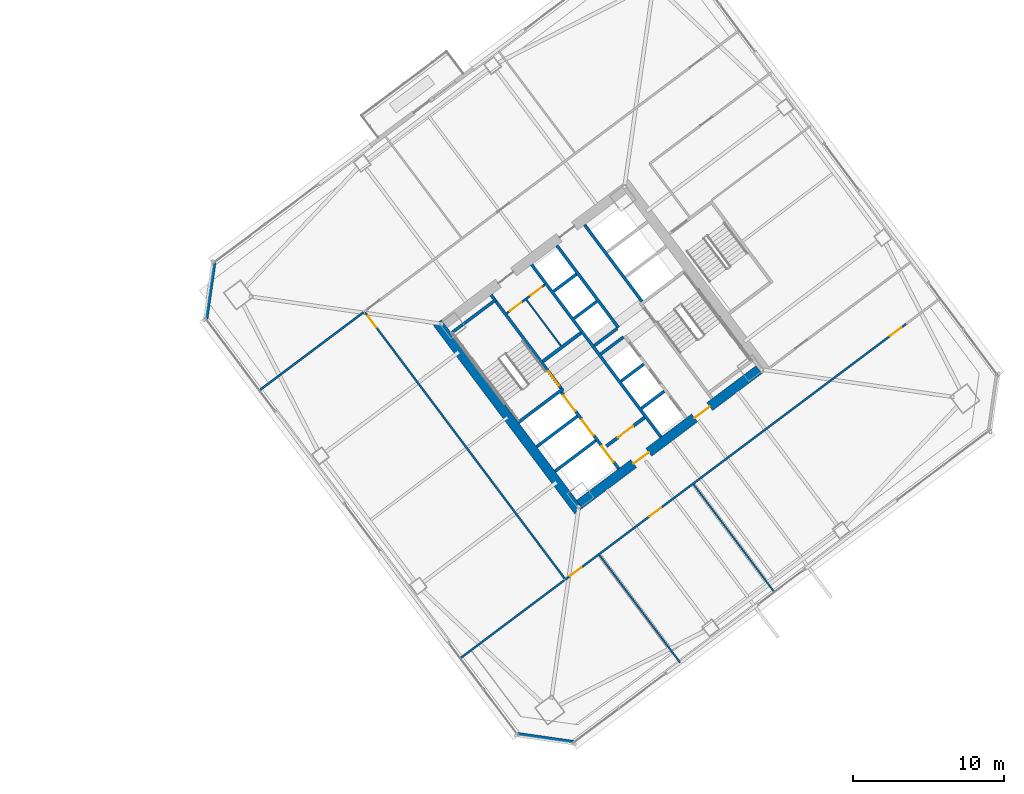
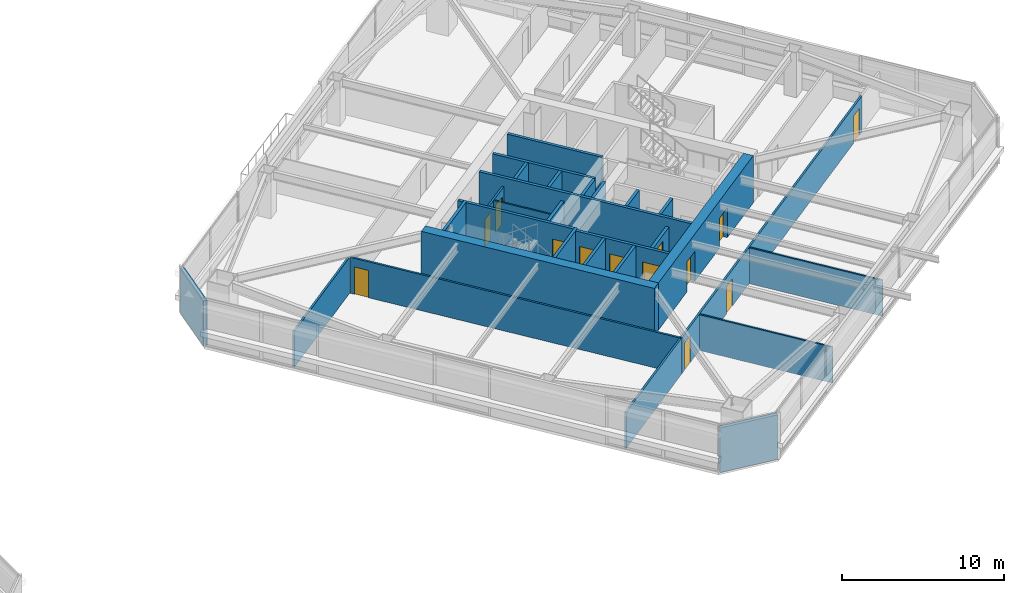
# One storey, part 35 of 44: 29 walls, 13 doors, 13 openings.
"""IFC4 building model written with IfcOpenShell, lengths in metres."""

from ifc_helpers import new_model, si_unit, direction, frame, frame_2d, origin, place, context, subcontext, project, spatial, rectangle, extrude, material, layer, layer_set, type_object, element, fill, save


model = new_model("IFC4")

# Units and contexts
model_context = context("Model", 3, precision=1e-05, world=origin(), true_north=direction((0.0, 1.0)))
body_context = subcontext(model_context, "Body", "Model", "MODEL_VIEW")
ifc_project = project(units=[si_unit("LENGTHUNIT", "METRE"), si_unit("AREAUNIT", "SQUARE_METRE"), si_unit("VOLUMEUNIT", "CUBIC_METRE"), si_unit("PLANEANGLEUNIT", "RADIAN"), si_unit("MASSUNIT", "GRAM", prefix="KILO")], contexts=[model_context])

# Site, building, storey
site_placement = place(None, origin())
site = spatial("IfcSite", under=ifc_project, at=site_placement, CompositionType="ELEMENT")
building_placement = place(site_placement, origin())
building = spatial("IfcBuilding", under=site, at=building_placement, Name="Tashvorn Skyway Center", CompositionType="ELEMENT")
storey_placement = place(building_placement, frame((0.0, 0.0, 95.60009765625)))
storey = spatial("IfcBuildingStorey", under=building, at=storey_placement, Name="L25", CompositionType="ELEMENT", Elevation=95.60009765625)

# Wall
ifc_material_1 = material(Name="Concrete C60/75", Category="concrete")
ifc_layer_1 = layer(ifc_material_1, 0.64990234375)
ifc_layer_set_1 = layer_set([ifc_layer_1], Name="Concrete C60/75")
wall_type_1 = type_object("IfcWallType", Name="WALL-CORE-650", PredefinedType="SHEAR", material=ifc_layer_set_1)
wall_1_placement = place(storey_placement, frame((112.47607421875, 21.10693359375, 0.0), z_axis=(0.0, 0.0, 1.0), x_axis=(-0.600005007985, 0.799996243986, 0.0)))
element("IfcWall", 1, at=wall_1_placement, inside=storey, type_object=wall_type_1, Name="Tower 2 L25 West Core Shear Wall", PredefinedType="SHEAR", context=body_context, shape_type="SweptSolid", body=[
    extrude(rectangle(XDim=15.60009765625, YDim=0.64990234375, at=frame_2d((7.800048828125, 0.0))), origin(), (0.0, 0.0, 1.0), 3.5498046875),
])

# Wall, openings, doors
wall_2_placement = place(storey_placement, frame((124.428955078125, 30.47802734375, 0.0), z_axis=(0.0, 0.0, 1.0), x_axis=(-0.799998028465, -0.600002628705, 0.0)))
wall_2 = element("IfcWall", 2, at=wall_2_placement, inside=storey, type_object=wall_type_1, Name="Tower 2 L25 South Core Shear Wall", PredefinedType="SHEAR", context=body_context, shape_type="SweptSolid", body=[
    extrude(rectangle(XDim=14.85986328125, YDim=0.64990234375, at=frame_2d((7.429931640625, 0.0))), origin(), (0.0, 0.0, 1.0), 3.5498046875),
])
opening_1_placement = place(wall_2_placement, frame((9.1298828125, 0.0, 0.0)))
opening_1 = element("IfcOpeningElement", 3, at=opening_1_placement, cuts=wall_2, Name="Opening D-FFL-1250", PredefinedType="OPENING", context=body_context, shape_type="SweptSolid", body=[
    extrude(rectangle(XDim=1.25, YDim=2.25, at=frame_2d((0.625, 1.125))), frame((0.0, 0.3349609375, 0.0), z_axis=(0.0, -1.0, 0.0), x_axis=(1.0, 0.0, 0.0)), (0.0, 0.0, 1.0), 0.669921875),
])
opening_2_placement = place(wall_2_placement, frame((4.080078125, 0.0, 0.0)))
opening_2 = element("IfcOpeningElement", 4, at=opening_2_placement, cuts=wall_2, Name="Opening D-FFL-1250", PredefinedType="OPENING", context=body_context, shape_type="SweptSolid", body=[
    extrude(rectangle(XDim=1.25, YDim=2.25, at=frame_2d((0.625, 1.125))), frame((0.0, 0.3349609375, 0.0), z_axis=(0.0, -1.0, 0.0), x_axis=(1.0, 0.0, 0.0)), (0.0, 0.0, 1.0), 0.669921875),
])
ifc_material_2 = material(Name="Hollow galvanized steel fire door assembly", Category="steel")
door_type_1 = type_object("IfcDoorType", Name="DOOR-FFL-1250", OperationType="NOTDEFINED", PredefinedType="DOOR", material=ifc_material_2)
door_1_placement = place(opening_1_placement, origin())
door_1 = element("IfcDoor", 5, at=door_1_placement, inside=storey, type_object=door_type_1, Name="Tower 2 L25 Core South Firefighting Exit Door", OperationType="SINGLE_SWING_LEFT", OverallHeight=2.25, OverallWidth=1.25, PredefinedType="DOOR", context=body_context, shape_type="SweptSolid", body=[
    extrude(rectangle(XDim=1.25, YDim=2.25, at=frame_2d((0.625, 1.125))), frame((0.0, 0.02490234375, 0.0), z_axis=(0.0, -1.0, 0.0), x_axis=(1.0, 0.0, 0.0)), (0.0, 0.0, 1.0), 0.050048828125),
])
fill(opening_1, door_1)
door_2_placement = place(opening_2_placement, origin())
door_2 = element("IfcDoor", 6, at=door_2_placement, inside=storey, type_object=door_type_1, Name="Tower 2 L25 Core South Lift Lobby Door", OperationType="SINGLE_SWING_RIGHT", OverallHeight=2.25, OverallWidth=1.25, PredefinedType="DOOR", context=body_context, shape_type="SweptSolid", body=[
    extrude(rectangle(XDim=1.25, YDim=2.25, at=frame_2d((0.625, 1.125))), frame((0.0, 0.02490234375, 0.0), z_axis=(0.0, -1.0, 0.0), x_axis=(1.0, 0.0, 0.0)), (0.0, 0.0, 1.0), 0.050048828125),
])
fill(opening_2, door_2)

# Walls
ifc_material_3 = material(Name="Precast concrete C40/50", Category="concrete")
ifc_layer_2 = layer(ifc_material_3, 0.280029296875)
ifc_layer_set_2 = layer_set([ifc_layer_2], Name="Precast concrete C40/50")
wall_type_2 = type_object("IfcWallType", Name="WALL-EXT-280", PredefinedType="SOLIDWALL", material=ifc_layer_set_2)
for number, where, z_axis, x_axis, name in (
    (7, (112.179931640625, 5.760009765625, 0.0), (0.0, 0.0, 1.0), (-0.989948214866, 0.141430307517, 0.0), "Tower 2 L25 SW Precast Chamfer Wall"),
    (8, (87.760009765625, 33.820068359375, 0.0), (0.0, 0.0, 1.0), (0.141430307517, 0.989948214866, 0.0), "Tower 2 L25 NW Precast Chamfer Wall"),
):
    element("IfcWall", number, at=place(storey_placement, frame(where, z_axis=z_axis, x_axis=x_axis)), inside=storey, type_object=wall_type_2, Name=name, PredefinedType="SOLIDWALL", context=body_context, shape_type="SweptSolid", body=[
        extrude(rectangle(XDim=3.818359375, YDim=0.280029296875, at=frame_2d((1.9091796875, 0.0))), origin(), (0.0, 0.0, 1.0), 3.349853515625),
    ])
ifc_material_4 = material(Name="Concrete C40/50", Category="concrete")
ifc_layer_3 = layer(ifc_material_4, 0.219970703125)
ifc_layer_set_3 = layer_set([ifc_layer_3], Name="Concrete C40/50")
wall_type_3 = type_object("IfcWallType", Name="WALL-FFL-220", PredefinedType="SOLIDWALL", material=ifc_layer_set_3)
wall_3_placement = place(storey_placement, frame((110.10400390625, 31.028076171875, 0.0), z_axis=(0.0, 0.0, 1.0), x_axis=(0.800018601094, 0.59997519774, 0.0)))
element("IfcWall", 9, at=wall_3_placement, inside=storey, type_object=wall_type_3, Name="Tower 2 L25 Firefighting Lobby North Wall", PredefinedType="SOLIDWALL", context=body_context, shape_type="SweptSolid", body=[
    extrude(rectangle(XDim=3.14990234375, YDim=0.219970703125, at=frame_2d((1.574951171875, 0.0))), origin(), (0.0, 0.0, 1.0), 2.702880859375),
])

# Wall, opening, door
wall_4_placement = place(storey_placement, frame((114.31591796875, 25.412109375, 0.0), z_axis=(0.0, 0.0, 1.0), x_axis=(0.800018601094, 0.59997519774, 0.0)))
wall_4 = element("IfcWall", 10, at=wall_4_placement, inside=storey, type_object=wall_type_3, Name="Tower 2 L25 Firefighting Lobby South Wall", PredefinedType="SOLIDWALL", context=body_context, shape_type="SweptSolid", body=[
    extrude(rectangle(XDim=3.14990234375, YDim=0.219970703125, at=frame_2d((1.574951171875, 0.0))), origin(), (0.0, 0.0, 1.0), 2.702880859375),
])
opening_3_placement = place(wall_4_placement, frame((0.949951171875, 0.0, 0.0)))
opening_3 = element("IfcOpeningElement", 11, at=opening_3_placement, cuts=wall_4, Name="Opening D-FFL-1250", PredefinedType="OPENING", context=body_context, shape_type="SweptSolid", body=[
    extrude(rectangle(XDim=1.25, YDim=2.25, at=frame_2d((0.625, 1.125))), frame((0.0, 0.119873046875, 0.0), z_axis=(0.0, -1.0, 0.0), x_axis=(1.0, 0.0, 0.0)), (0.0, 0.0, 1.0), 0.239990234375),
])
door_3_placement = place(opening_3_placement, origin())
door_3 = element("IfcDoor", 12, at=door_3_placement, inside=storey, type_object=door_type_1, Name="Tower 2 L25 Firefighting Lobby Egress Door", OperationType="SINGLE_SWING_LEFT", OverallHeight=2.25, OverallWidth=1.25, PredefinedType="DOOR", context=body_context, shape_type="SweptSolid", body=[
    extrude(rectangle(XDim=1.25, YDim=2.25, at=frame_2d((0.625, 1.125))), frame((0.0, 0.02490234375, 0.0), z_axis=(0.0, -1.0, 0.0), x_axis=(1.0, 0.0, 0.0)), (0.0, 0.0, 1.0), 0.050048828125),
])
fill(opening_3, door_3)

# Walls
ifc_material_5 = material(Name="Gypsum board on cold-formed steel stud framing", Category="steel")
ifc_layer_4 = layer(ifc_material_5, 0.110107421875)
ifc_layer_set_4 = layer_set([ifc_layer_4], Name="Gypsum board on cold-formed steel stud framing")
wall_type_4 = type_object("IfcWallType", Name="WALL-PART-110", PredefinedType="PARTITIONING", material=ifc_layer_set_4)
wall_5_placement = place(storey_placement, frame((119.2080078125, 11.055908203125, 0.0), z_axis=(0.0, 0.0, 1.0), x_axis=(-0.6, 0.8, 0.0)))
element("IfcWall", 13, at=wall_5_placement, inside=storey, type_object=wall_type_4, Name="Tower 2 L25 South Suite Partition 1", PredefinedType="PARTITIONING", context=body_context, shape_type="SweptSolid", body=[
    extrude(rectangle(XDim=8.900146484375, YDim=0.110107421875, at=frame_2d((4.4501953125, 0.0))), origin(), (0.0, 0.0, 1.0), 2.702880859375),
])
wall_6_placement = place(storey_placement, frame((125.447998046875, 15.736083984375, 0.0), z_axis=(0.0, 0.0, 1.0), x_axis=(-0.600013167126, 0.799990124486, 0.0)))
element("IfcWall", 14, at=wall_6_placement, inside=storey, type_object=wall_type_4, Name="Tower 2 L25 South Suite Partition 2", PredefinedType="PARTITIONING", context=body_context, shape_type="SweptSolid", body=[
    extrude(rectangle(XDim=8.89990234375, YDim=0.110107421875, at=frame_2d((4.449951171875, 0.0))), origin(), (0.0, 0.0, 1.0), 2.702880859375),
])

# Wall, openings, doors
ifc_layer_5 = layer(ifc_material_5, 0.135009765625)
ifc_layer_set_5 = layer_set([ifc_layer_5], Name="Gypsum board on cold-formed steel stud framing")
wall_type_5 = type_object("IfcWallType", Name="WALL-PART-135", PredefinedType="PARTITIONING", material=ifc_layer_set_5)
wall_7_placement = place(storey_placement, frame((134.179931640625, 33.510009765625, 0.0), z_axis=(0.0, 0.0, 1.0), x_axis=(-0.8, -0.6, 0.0)))
wall_7 = element("IfcWall", 15, at=wall_7_placement, inside=storey, type_object=wall_type_5, Name="Tower 2 L25 South Suite Wall", PredefinedType="PARTITIONING", context=body_context, shape_type="SweptSolid", body=[
    extrude(rectangle(XDim=28.22998046875, YDim=0.135009765625, at=frame_2d((14.114990234375, 0.0))), origin(), (0.0, 0.0, 1.0), 2.702880859375),
])
opening_4_placement = place(wall_7_placement, frame((26.89990234375, 0.0, 0.0)))
opening_4 = element("IfcOpeningElement", 16, at=opening_4_placement, cuts=wall_7, Name="Opening D-INT-950", PredefinedType="OPENING", context=body_context, shape_type="SweptSolid", body=[
    extrude(rectangle(XDim=0.949951171875, YDim=2.050048828125, at=frame_2d((0.47509765625, 1.02490234375))), frame((0.0, 0.077392578125, 0.0), z_axis=(0.0, -1.0, 0.0), x_axis=(1.0, 0.0, 0.0)), (0.0, 0.0, 1.0), 0.155029296875),
])
opening_5_placement = place(wall_7_placement, frame((20.313720703125, 0.0, 0.0)))
opening_5 = element("IfcOpeningElement", 17, at=opening_5_placement, cuts=wall_7, Name="Opening D-INT-950", PredefinedType="OPENING", context=body_context, shape_type="SweptSolid", body=[
    extrude(rectangle(XDim=0.949951171875, YDim=2.050048828125, at=frame_2d((0.47509765625, 1.02490234375))), frame((0.0, 0.077392578125, 0.0), z_axis=(0.0, -1.0, 0.0), x_axis=(1.0, 0.0, 0.0)), (0.0, 0.0, 1.0), 0.155029296875),
])
opening_6_placement = place(wall_7_placement, frame((0.3798828125, 0.0, 0.0)))
opening_6 = element("IfcOpeningElement", 18, at=opening_6_placement, cuts=wall_7, Name="Opening D-INT-950", PredefinedType="OPENING", context=body_context, shape_type="SweptSolid", body=[
    extrude(rectangle(XDim=0.949951171875, YDim=2.050048828125, at=frame_2d((0.47509765625, 1.02490234375))), frame((0.0, 0.077392578125, 0.0), z_axis=(0.0, -1.0, 0.0), x_axis=(1.0, 0.0, 0.0)), (0.0, 0.0, 1.0), 0.155029296875),
])
ifc_material_6 = material(Name="Solid-core architectural oak veneer door")
door_type_2 = type_object("IfcDoorType", Name="DOOR-INT-950", OperationType="NOTDEFINED", PredefinedType="DOOR", material=ifc_material_6)
door_4_placement = place(opening_4_placement, origin())
door_4 = element("IfcDoor", 19, at=door_4_placement, inside=storey, type_object=door_type_2, Name="Tower 2 L25 Operations Control Room Door", OperationType="SINGLE_SWING_RIGHT", OverallHeight=2.050048828125, OverallWidth=0.949951171875, PredefinedType="DOOR", context=body_context, shape_type="SweptSolid", body=[
    extrude(rectangle(XDim=0.949951171875, YDim=2.050048828125, at=frame_2d((0.47509765625, 1.02490234375))), frame((0.0, 0.02490234375, 0.0), z_axis=(0.0, -1.0, 0.0), x_axis=(1.0, 0.0, 0.0)), (0.0, 0.0, 1.0), 0.050048828125),
])
fill(opening_4, door_4)
door_5_placement = place(opening_5_placement, origin())
door_5 = element("IfcDoor", 20, at=door_5_placement, inside=storey, type_object=door_type_2, Name="Tower 2 L25 Boardroom Door", OperationType="SINGLE_SWING_LEFT", OverallHeight=2.050048828125, OverallWidth=0.949951171875, PredefinedType="DOOR", context=body_context, shape_type="SweptSolid", body=[
    extrude(rectangle(XDim=0.949951171875, YDim=2.050048828125, at=frame_2d((0.47509765625, 1.02490234375))), frame((0.0, 0.02490234375, 0.0), z_axis=(0.0, -1.0, 0.0), x_axis=(1.0, 0.0, 0.0)), (0.0, 0.0, 1.0), 0.050048828125),
])
fill(opening_5, door_5)
door_6_placement = place(opening_6_placement, origin())
door_6 = element("IfcDoor", 21, at=door_6_placement, inside=storey, type_object=door_type_2, Name="Tower 2 L25 Boardroom Door", OperationType="SINGLE_SWING_RIGHT", OverallHeight=2.050048828125, OverallWidth=0.949951171875, PredefinedType="DOOR", context=body_context, shape_type="SweptSolid", body=[
    extrude(rectangle(XDim=0.949951171875, YDim=2.050048828125, at=frame_2d((0.47509765625, 1.02490234375))), frame((0.0, 0.02490234375, 0.0), z_axis=(0.0, -1.0, 0.0), x_axis=(1.0, 0.0, 0.0)), (0.0, 0.0, 1.0), 0.050048828125),
])
fill(opening_6, door_6)

# Wall, opening, door
wall_8_placement = place(storey_placement, frame((111.548095703125, 16.635986328125, 0.0), z_axis=(0.0, 0.0, 1.0), x_axis=(-0.600001772333, 0.799998670747, 0.0)))
wall_8 = element("IfcWall", 22, at=wall_8_placement, inside=storey, type_object=wall_type_5, Name="Tower 2 L25 West Inner Suite Wall", PredefinedType="PARTITIONING", context=body_context, shape_type="SweptSolid", body=[
    extrude(rectangle(XDim=22.0400390625, YDim=0.135009765625, at=frame_2d((11.02001953125, 0.0))), origin(), (0.0, 0.0, 1.0), 2.702880859375),
])
opening_7_placement = place(wall_8_placement, frame((20.7900390625, 0.0, 0.0)))
opening_7 = element("IfcOpeningElement", 23, at=opening_7_placement, cuts=wall_8, Name="Opening D-INT-950", PredefinedType="OPENING", context=body_context, shape_type="SweptSolid", body=[
    extrude(rectangle(XDim=0.949951171875, YDim=2.050048828125, at=frame_2d((0.47509765625, 1.02490234375))), frame((0.0, 0.077392578125, 0.0), z_axis=(0.0, -1.0, 0.0), x_axis=(1.0, 0.0, 0.0)), (0.0, 0.0, 1.0), 0.155029296875),
])
door_7_placement = place(opening_7_placement, origin())
door_7 = element("IfcDoor", 24, at=door_7_placement, inside=storey, type_object=door_type_2, Name="Tower 2 L25 Boardroom Door", OperationType="SINGLE_SWING_LEFT", OverallHeight=2.050048828125, OverallWidth=0.949951171875, PredefinedType="DOOR", context=body_context, shape_type="SweptSolid", body=[
    extrude(rectangle(XDim=0.949951171875, YDim=2.050048828125, at=frame_2d((0.47509765625, 1.02490234375))), frame((0.0, 0.02490234375, 0.0), z_axis=(0.0, -1.0, 0.0), x_axis=(1.0, 0.0, 0.0)), (0.0, 0.0, 1.0), 0.050048828125),
])
fill(opening_7, door_7)

# Walls
for number, where, z_axis, x_axis, name in (
    (25, (98.2119140625, 34.283935546875, 0.0), (0.0, 0.0, 1.0), (-0.800006797429, -0.599990936654, 0.0), "Tower 2 L25 West Suite North Wall"),
    (26, (104.635986328125, 11.35205078125, 0.0), (0.0, 0.0, 1.0), (0.800006797429, 0.599990936654, 0.0), "Tower 2 L25 West Suite South Wall"),
):
    element("IfcWall", number, at=place(storey_placement, frame(where, z_axis=z_axis, x_axis=x_axis)), inside=storey, type_object=wall_type_5, Name=name, PredefinedType="PARTITIONING", context=body_context, shape_type="SweptSolid", body=[
        extrude(rectangle(XDim=8.619873046875, YDim=0.135009765625, at=frame_2d((4.31005859375, 0.0))), origin(), (0.0, 0.0, 1.0), 2.702880859375),
    ])
ifc_layer_6 = layer(ifc_material_5, 0.110107421875)
ifc_layer_set_6 = layer_set([ifc_layer_6], Name="Gypsum board on cold-formed steel stud framing")
wall_type_6 = type_object("IfcWallType", Name="WALL-RATED-110", PredefinedType="PARTITIONING", material=ifc_layer_set_6)
wall_9_placement = place(storey_placement, frame((111.2958984375, 32.072021484375, 0.0), z_axis=(0.0, 0.0, 1.0), x_axis=(-0.59995887973, 0.800030838552, 0.0)))
element("IfcWall", 27, at=wall_9_placement, inside=storey, type_object=wall_type_6, Name="Tower 2 L25 Core Split Partition", PredefinedType="PARTITIONING", context=body_context, shape_type="SweptSolid", body=[
    extrude(rectangle(XDim=3.7998046875, YDim=0.110107421875, at=frame_2d((1.89990234375, 0.0))), origin(), (0.0, 0.0, 1.0), 2.702880859375),
])

# Wall, openings, doors
ifc_layer_7 = layer(ifc_material_5, 0.135009765625)
ifc_layer_set_7 = layer_set([ifc_layer_7], Name="Gypsum board on cold-formed steel stud framing")
wall_type_7 = type_object("IfcWallType", Name="WALL-RATED-135", PredefinedType="PARTITIONING", material=ifc_layer_set_7)
wall_10_placement = place(storey_placement, frame((107.7099609375, 34.219970703125, 0.0), z_axis=(0.0, 0.0, 1.0), x_axis=(0.799981399002, 0.60002480053, 0.0)))
wall_10 = element("IfcWall", 28, at=wall_10_placement, inside=storey, type_object=wall_type_7, Name="Tower 2 L25 Core Service Lobby Wall", PredefinedType="PARTITIONING", context=body_context, shape_type="SweptSolid", body=[
    extrude(rectangle(XDim=3.150146484375, YDim=0.135009765625, at=frame_2d((1.5751953125, 0.0))), origin(), (0.0, 0.0, 1.0), 2.702880859375),
])
opening_8_placement = place(wall_10_placement, frame((0.25, 0.0, 0.0)))
opening_8 = element("IfcOpeningElement", 29, at=opening_8_placement, cuts=wall_10, Name="Opening D-RT-950", PredefinedType="OPENING", context=body_context, shape_type="SweptSolid", body=[
    extrude(rectangle(XDim=0.949951171875, YDim=2.050048828125, at=frame_2d((0.47509765625, 1.02490234375))), frame((0.0, 0.077392578125, 0.0), z_axis=(0.0, -1.0, 0.0), x_axis=(1.0, 0.0, 0.0)), (0.0, 0.0, 1.0), 0.155029296875),
])
opening_9_placement = place(wall_10_placement, frame((1.949951171875, 0.0, 0.0)))
opening_9 = element("IfcOpeningElement", 30, at=opening_9_placement, cuts=wall_10, Name="Opening D-RT-950", PredefinedType="OPENING", context=body_context, shape_type="SweptSolid", body=[
    extrude(rectangle(XDim=0.949951171875, YDim=2.050048828125, at=frame_2d((0.47509765625, 1.02490234375))), frame((0.0, 0.077392578125, 0.0), z_axis=(0.0, -1.0, 0.0), x_axis=(1.0, 0.0, 0.0)), (0.0, 0.0, 1.0), 0.155029296875),
])
door_type_3 = type_object("IfcDoorType", Name="DOOR-RATED-950", OperationType="NOTDEFINED", PredefinedType="DOOR", material=ifc_material_2)
door_8_placement = place(opening_8_placement, origin())
door_8 = element("IfcDoor", 31, at=door_8_placement, inside=storey, type_object=door_type_3, Name="Tower 2 L25 Core Accessible WC Door", OperationType="SINGLE_SWING_LEFT", OverallHeight=2.050048828125, OverallWidth=0.949951171875, PredefinedType="DOOR", context=body_context, shape_type="SweptSolid", body=[
    extrude(rectangle(XDim=0.949951171875, YDim=2.050048828125, at=frame_2d((0.47509765625, 1.02490234375))), frame((0.0, 0.02490234375, 0.0), z_axis=(0.0, -1.0, 0.0), x_axis=(1.0, 0.0, 0.0)), (0.0, 0.0, 1.0), 0.050048828125),
])
fill(opening_8, door_8)
door_9_placement = place(opening_9_placement, origin())
door_9 = element("IfcDoor", 32, at=door_9_placement, inside=storey, type_object=door_type_3, Name="Tower 2 L25 Core Cleaner Store Door", OperationType="SINGLE_SWING_RIGHT", OverallHeight=2.050048828125, OverallWidth=0.949951171875, PredefinedType="DOOR", context=body_context, shape_type="SweptSolid", body=[
    extrude(rectangle(XDim=0.949951171875, YDim=2.050048828125, at=frame_2d((0.47509765625, 1.02490234375))), frame((0.0, 0.02490234375, 0.0), z_axis=(0.0, -1.0, 0.0), x_axis=(1.0, 0.0, 0.0)), (0.0, 0.0, 1.0), 0.050048828125),
])
fill(opening_9, door_9)

# Walls
ifc_layer_8 = layer(ifc_material_4, 0.199951171875)
ifc_layer_set_8 = layer_set([ifc_layer_8], Name="Concrete C40/50")
wall_type_8 = type_object("IfcWallType", Name="WALL-SHAFT-200", PredefinedType="SOLIDWALL", material=ifc_layer_set_8)
for number, where, z_axis, x_axis, name in (
    (33, (110.906005859375, 23.741943359375, 0.0), (0.0, 0.0, 1.0), (0.8, 0.6, 0.0), "Tower 2 L25 FSAE Shaft Divider"),
    (34, (109.68798828125, 25.365966796875, 0.0), (0.0, 0.0, 1.0), (0.8, 0.6, 0.0), "Tower 2 L25 FSAE Shaft Divider"),
):
    element("IfcWall", number, at=place(storey_placement, frame(where, z_axis=z_axis, x_axis=x_axis)), inside=storey, type_object=wall_type_8, Name=name, PredefinedType="SOLIDWALL", context=body_context, shape_type="SweptSolid", body=[
        extrude(rectangle(XDim=3.380126953125, YDim=0.199951171875, at=frame_2d((1.68994140625, 0.0))), origin(), (0.0, 0.0, 1.0), 3.349853515625),
    ])
wall_11_placement = place(storey_placement, frame((116.64599609375, 27.922119140625, 0.0), z_axis=(0.0, 0.0, 1.0), x_axis=(0.8, 0.6, 0.0)))
element("IfcWall", 35, at=wall_11_placement, inside=storey, type_object=wall_type_8, Name="Tower 2 L25 Low-Rise Shaft Divider", PredefinedType="SOLIDWALL", context=body_context, shape_type="SweptSolid", body=[
    extrude(rectangle(XDim=1.8798828125, YDim=0.199951171875, at=frame_2d((0.93994140625, 0.0))), origin(), (0.0, 0.0, 1.0), 3.349853515625),
])
wall_12_placement = place(storey_placement, frame((115.2958984375, 29.721923828125, 0.0), z_axis=(0.0, 0.0, 1.0), x_axis=(0.799984418148, 0.600020775241, 0.0)))
element("IfcWall", 36, at=wall_12_placement, inside=storey, type_object=wall_type_8, Name="Tower 2 L25 Low-Rise Shaft Divider", PredefinedType="SOLIDWALL", context=body_context, shape_type="SweptSolid", body=[
    extrude(rectangle(XDim=1.880126953125, YDim=0.199951171875, at=frame_2d((0.93994140625, 0.0))), origin(), (0.0, 0.0, 1.0), 3.349853515625),
])
wall_13_placement = place(storey_placement, frame((113.946044921875, 31.52197265625, 0.0), z_axis=(0.0, 0.0, 1.0), x_axis=(0.8, 0.6, 0.0)))
element("IfcWall", 37, at=wall_13_placement, inside=storey, type_object=wall_type_8, Name="Tower 2 L25 Low-Rise Shaft Divider", PredefinedType="SOLIDWALL", context=body_context, shape_type="SweptSolid", body=[
    extrude(rectangle(XDim=1.8798828125, YDim=0.199951171875, at=frame_2d((0.93994140625, 0.0))), origin(), (0.0, 0.0, 1.0), 3.349853515625),
])
wall_14_placement = place(storey_placement, frame((115.110107421875, 33.27001953125, 0.0), z_axis=(0.0, 0.0, 1.0), x_axis=(-0.600011488909, 0.79999138319, 0.0)))
element("IfcWall", 38, at=wall_14_placement, inside=storey, type_object=wall_type_8, Name="Tower 2 L25 Mid-Rise Core Wall", PredefinedType="SOLIDWALL", context=body_context, shape_type="SweptSolid", body=[
    extrude(rectangle(XDim=6.800048828125, YDim=0.199951171875, at=frame_2d((3.39990234375, 0.0))), origin(), (0.0, 0.0, 1.0), 3.349853515625),
])
wall_15_placement = place(storey_placement, frame((113.52587890625, 32.08203125, 0.0), z_axis=(0.0, 0.0, 1.0), x_axis=(0.800046745961, 0.599937666993, 0.0)))
element("IfcWall", 39, at=wall_15_placement, inside=storey, type_object=wall_type_8, Name="Tower 2 L25 Mid-Rise Shaft Divider", PredefinedType="SOLIDWALL", context=body_context, shape_type="SweptSolid", body=[
    extrude(rectangle(XDim=1.880126953125, YDim=0.199951171875, at=frame_2d((0.93994140625, 0.0))), origin(), (0.0, 0.0, 1.0), 3.349853515625),
])
wall_16_placement = place(storey_placement, frame((112.176025390625, 33.882080078125, 0.0), z_axis=(0.0, 0.0, 1.0), x_axis=(0.8, 0.6, 0.0)))
element("IfcWall", 40, at=wall_16_placement, inside=storey, type_object=wall_type_8, Name="Tower 2 L25 Mid-Rise Shaft Divider", PredefinedType="SOLIDWALL", context=body_context, shape_type="SweptSolid", body=[
    extrude(rectangle(XDim=1.8798828125, YDim=0.199951171875, at=frame_2d((0.93994140625, 0.0))), origin(), (0.0, 0.0, 1.0), 3.349853515625),
])
wall_17_placement = place(storey_placement, frame((110.825927734375, 35.681884765625, 0.0), z_axis=(0.0, 0.0, 1.0), x_axis=(0.799984418148, 0.600020775241, 0.0)))
element("IfcWall", 41, at=wall_17_placement, inside=storey, type_object=wall_type_8, Name="Tower 2 L25 Mid-Rise Shaft Divider", PredefinedType="SOLIDWALL", context=body_context, shape_type="SweptSolid", body=[
    extrude(rectangle(XDim=1.880126953125, YDim=0.199951171875, at=frame_2d((0.93994140625, 0.0))), origin(), (0.0, 0.0, 1.0), 3.349853515625),
])

# Wall, opening, door
ifc_layer_9 = layer(ifc_material_4, 0.199951171875)
ifc_layer_set_9 = layer_set([ifc_layer_9], Name="Concrete C40/50")
wall_type_9 = type_object("IfcWallType", Name="WALL-STSHF-200", PredefinedType="SHEAR", material=ifc_layer_set_9)
wall_18_placement = place(storey_placement, frame((111.43994140625, 29.080078125, 0.0), z_axis=(0.0, 0.0, 1.0), x_axis=(-0.600009827119, 0.799992629566, 0.0)))
wall_18 = element("IfcWall", 42, at=wall_18_placement, inside=storey, type_object=wall_type_9, Name="Tower 2 L25 Stair 1 Enclosure Wall", PredefinedType="SHEAR", context=body_context, shape_type="SweptSolid", body=[
    extrude(rectangle(XDim=7.949951171875, YDim=0.199951171875, at=frame_2d((3.97509765625, 0.0))), origin(), (0.0, 0.0, 1.0), 3.349853515625),
])
opening_10_placement = place(wall_18_placement, frame((0.449951171875, 0.0, 0.0)))
opening_10 = element("IfcOpeningElement", 43, at=opening_10_placement, cuts=wall_18, Name="Opening D-ST-1150", PredefinedType="OPENING", context=body_context, shape_type="SweptSolid", body=[
    extrude(rectangle(XDim=1.14990234375, YDim=2.199951171875, at=frame_2d((0.574951171875, 1.10009765625))), frame((0.0, 0.10986328125, 0.0), z_axis=(0.0, -1.0, 0.0), x_axis=(1.0, 0.0, 0.0)), (0.0, 0.0, 1.0), 0.219970703125),
])
door_type_4 = type_object("IfcDoorType", Name="DOOR-STAIR-1150", OperationType="NOTDEFINED", PredefinedType="DOOR", material=ifc_material_2)
door_10_placement = place(opening_10_placement, origin())
door_10 = element("IfcDoor", 44, at=door_10_placement, inside=storey, type_object=door_type_4, Name="Tower 2 L25 Exit Stair 1 Door", OperationType="SINGLE_SWING_RIGHT", OverallHeight=2.199951171875, OverallWidth=1.14990234375, PredefinedType="DOOR", context=body_context, shape_type="SweptSolid", body=[
    extrude(rectangle(XDim=1.14990234375, YDim=2.199951171875, at=frame_2d((0.574951171875, 1.10009765625))), frame((0.0, 0.02490234375, 0.0), z_axis=(0.0, -1.0, 0.0), x_axis=(1.0, 0.0, 0.0)), (0.0, 0.0, 1.0), 0.050048828125),
])
fill(opening_10, door_10)

# Walls
for number, where, z_axis, x_axis, name in (
    (45, (108.47607421875, 26.98193359375, 0.0), (0.0, 0.0, 1.0), (0.799984290658, 0.600020945218, 0.0), "Tower 2 L25 Stair 1 South Wall"),
    (46, (104.035888671875, 32.902099609375, 0.0), (0.0, 0.0, 1.0), (0.800039270442, 0.59994763584, 0.0), "Tower 2 L25 Stair 1 North Wall"),
):
    element("IfcWall", number, at=place(storey_placement, frame(where, z_axis=z_axis, x_axis=x_axis)), inside=storey, type_object=wall_type_9, Name=name, PredefinedType="SHEAR", context=body_context, shape_type="SweptSolid", body=[
        extrude(rectangle(XDim=3.72998046875, YDim=0.199951171875, at=frame_2d((1.864990234375, 0.0))), origin(), (0.0, 0.0, 1.0), 3.349853515625),
    ])
wall_19_placement = place(storey_placement, frame((117.93798828125, 26.01611328125, 0.0), z_axis=(0.0, 0.0, 1.0), x_axis=(-0.600005463273, 0.799995902516, 0.0)))
element("IfcWall", 47, at=wall_19_placement, inside=storey, type_object=wall_type_9, Name="Tower 2 L25 Firefighting Lobby East Smoke Barrier", PredefinedType="SHEAR", context=body_context, shape_type="SweptSolid", body=[
    extrude(rectangle(XDim=14.300048828125, YDim=0.199951171875, at=frame_2d((7.14990234375, 0.0))), origin(), (0.0, 0.0, 1.0), 3.349853515625),
])

# Wall, openings, doors
wall_20_placement = place(storey_placement, frame((115.1298828125, 23.909912109375, 0.0), z_axis=(0.0, 0.0, 1.0), x_axis=(-0.599975393228, 0.800018454488, 0.0)))
wall_20 = element("IfcWall", 48, at=wall_20_placement, inside=storey, type_object=wall_type_9, Name="Tower 2 L25 FSAE and Goods Shaft Front Wall", PredefinedType="SHEAR", context=body_context, shape_type="SweptSolid", body=[
    extrude(rectangle(XDim=6.349853515625, YDim=0.199951171875, at=frame_2d((3.1748046875, 0.0))), origin(), (0.0, 0.0, 1.0), 3.349853515625),
])
opening_11_placement = place(wall_20_placement, frame((4.77490234375, 0.0, 0.0)))
opening_11 = element("IfcOpeningElement", 49, at=opening_11_placement, cuts=wall_20, Name="Opening LD-FF-T2-1-L25", PredefinedType="OPENING", context=body_context, shape_type="SweptSolid", body=[
    extrude(rectangle(XDim=1.300048828125, YDim=2.25, at=frame_2d((0.64990234375, 1.125))), frame((0.0, 0.10986328125, 0.0), z_axis=(0.0, -1.0, 0.0), x_axis=(1.0, 0.0, 0.0)), (0.0, 0.0, 1.0), 0.219970703125),
])
opening_12_placement = place(wall_20_placement, frame((2.77490234375, 0.0, 0.0)))
opening_12 = element("IfcOpeningElement", 50, at=opening_12_placement, cuts=wall_20, Name="Opening LD-FF-T2-2-L25", PredefinedType="OPENING", context=body_context, shape_type="SweptSolid", body=[
    extrude(rectangle(XDim=1.300048828125, YDim=2.25, at=frame_2d((0.64990234375, 1.125))), frame((0.0, 0.10986328125, 0.0), z_axis=(0.0, -1.0, 0.0), x_axis=(1.0, 0.0, 0.0)), (0.0, 0.0, 1.0), 0.219970703125),
])
opening_13_placement = place(wall_20_placement, frame((0.574951171875, 0.0, 0.0)))
opening_13 = element("IfcOpeningElement", 51, at=opening_13_placement, cuts=wall_20, Name="Opening LD-GD-T2-1-L25", PredefinedType="OPENING", context=body_context, shape_type="SweptSolid", body=[
    extrude(rectangle(XDim=1.300048828125, YDim=2.25, at=frame_2d((0.64990234375, 1.125))), frame((0.0, 0.10986328125, 0.0), z_axis=(0.0, -1.0, 0.0), x_axis=(1.0, 0.0, 0.0)), (0.0, 0.0, 1.0), 0.219970703125),
])
ifc_material_7 = material(Name="Stainless steel heavy-duty landing door", Category="steel")
door_type_5 = type_object("IfcDoorType", Name="DOOR-LIFT-1300", OperationType="SLIDING_TO_LEFT", PredefinedType="DOOR", material=ifc_material_7)
door_11_placement = place(opening_11_placement, origin())
door_11 = element("IfcDoor", 52, at=door_11_placement, inside=storey, type_object=door_type_5, Name="Lift FF-T2-1 L25 Landing Door", OperationType="SLIDING_TO_LEFT", OverallHeight=2.25, OverallWidth=1.300048828125, PredefinedType="DOOR", context=body_context, shape_type="SweptSolid", body=[
    extrude(rectangle(XDim=1.300048828125, YDim=2.25, at=frame_2d((0.64990234375, 1.125))), frame((0.0, 0.02490234375, 0.0), z_axis=(0.0, -1.0, 0.0), x_axis=(1.0, 0.0, 0.0)), (0.0, 0.0, 1.0), 0.050048828125),
])
fill(opening_11, door_11)
door_12_placement = place(opening_12_placement, origin())
door_12 = element("IfcDoor", 53, at=door_12_placement, inside=storey, type_object=door_type_5, Name="Lift FF-T2-2 L25 Landing Door", OperationType="SLIDING_TO_LEFT", OverallHeight=2.25, OverallWidth=1.300048828125, PredefinedType="DOOR", context=body_context, shape_type="SweptSolid", body=[
    extrude(rectangle(XDim=1.300048828125, YDim=2.25, at=frame_2d((0.64990234375, 1.125))), frame((0.0, 0.02490234375, 0.0), z_axis=(0.0, -1.0, 0.0), x_axis=(1.0, 0.0, 0.0)), (0.0, 0.0, 1.0), 0.050048828125),
])
fill(opening_12, door_12)
door_13_placement = place(opening_13_placement, origin())
door_13 = element("IfcDoor", 54, at=door_13_placement, inside=storey, type_object=door_type_5, Name="Lift GD-T2-1 L25 Landing Door", OperationType="SLIDING_TO_LEFT", OverallHeight=2.25, OverallWidth=1.300048828125, PredefinedType="DOOR", context=body_context, shape_type="SweptSolid", body=[
    extrude(rectangle(XDim=1.300048828125, YDim=2.25, at=frame_2d((0.64990234375, 1.125))), frame((0.0, 0.02490234375, 0.0), z_axis=(0.0, -1.0, 0.0), x_axis=(1.0, 0.0, 0.0)), (0.0, 0.0, 1.0), 0.050048828125),
])
fill(opening_13, door_13)

# Wall
wall_21_placement = place(storey_placement, frame((112.8701171875, 40.090087890625, 0.0), z_axis=(0.0, 0.0, 1.0), x_axis=(0.599975393228, -0.800018454488, 0.0)))
element("IfcWall", 55, at=wall_21_placement, inside=storey, type_object=wall_type_9, Name="Tower 2 L25 High-Rise Lift Shaft Front Wall", PredefinedType="SHEAR", context=body_context, shape_type="SweptSolid", body=[
    extrude(rectangle(XDim=6.349853515625, YDim=0.199951171875, at=frame_2d((3.1748046875, 0.0))), origin(), (0.0, 0.0, 1.0), 3.349853515625),
])

save(model, "model.ifc")
